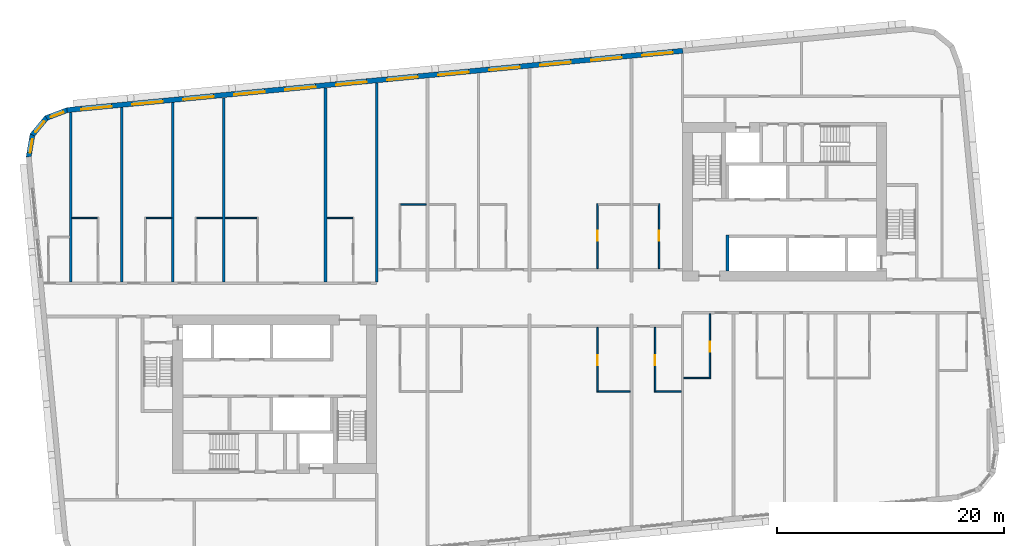
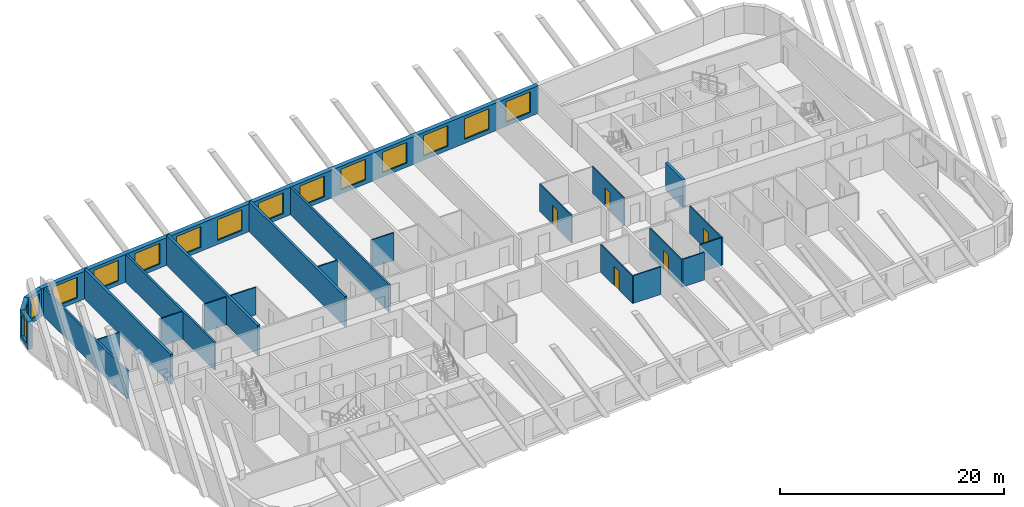
# One storey, part 5 of 13: 25 walls, 15 windows, 5 doors, 20 openings.
"""IFC4 building model written with IfcOpenShell, lengths in metres."""

from ifc_helpers import new_model, si_unit, direction, frame, frame_2d, origin, place, context, subcontext, project, spatial, polyline, rectangle, outline, extrude, material, layer, layer_set, type_object, element, fill, save


model = new_model("IFC4")

# Units and contexts
model_context = context("Model", 3, precision=1e-05, world=origin(), true_north=direction((0.0, 1.0)))
body_context = subcontext(model_context, "Body", "Model", "MODEL_VIEW")
ifc_project = project(units=[si_unit("LENGTHUNIT", "METRE"), si_unit("AREAUNIT", "SQUARE_METRE"), si_unit("VOLUMEUNIT", "CUBIC_METRE"), si_unit("PLANEANGLEUNIT", "RADIAN"), si_unit("MASSUNIT", "GRAM", prefix="KILO")], contexts=[model_context])

# Site, building, storey
site_placement = place(None, origin())
site = spatial("IfcSite", under=ifc_project, at=site_placement, CompositionType="ELEMENT")
building_placement = place(site_placement, origin())
building = spatial("IfcBuilding", under=site, at=building_placement, Name="Kajstack Hotel Tower", CompositionType="ELEMENT")
storey_placement = place(building_placement, frame((0.0, 0.0, 166.89990234375)))
storey = spatial("IfcBuildingStorey", under=building, at=storey_placement, Name="L38", CompositionType="ELEMENT", Elevation=166.89990234375)

# Walls
ifc_material_1 = material(Name="Twin-frame gypsum board on steel studs, mineral wool", Category="steel")
ifc_layer_1 = layer(ifc_material_1, 0.199951171875)
ifc_layer_set_1 = layer_set([ifc_layer_1], Name="Demising wall 200")
wall_type_1 = type_object("IfcWallType", Name="Demising wall 200", PredefinedType="PARTITIONING", material=ifc_layer_set_1)
wall_1_placement = place(storey_placement, frame((-40.5, 1.39990234375, 0.0), z_axis=(0.0, 0.0, 1.0), x_axis=(0.0, 1.0, 0.0)))
element("IfcWall", 1, at=wall_1_placement, inside=storey, type_object=wall_type_1, Name="G-wall-L38-005", PredefinedType="PARTITIONING", context=body_context, shape_type="SweptSolid", body=[
    extrude(rectangle(XDim=14.989990234375, YDim=0.199951171875, at=frame_2d((7.4951171875, 0.0))), origin(), (0.0, 0.0, 1.0), 3.02001953125),
])
wall_2_placement = place(storey_placement, frame((-31.5, 1.39990234375, 0.0), z_axis=(0.0, 0.0, 1.0), x_axis=(0.0, 1.0, 0.0)))
element("IfcWall", 2, at=wall_2_placement, inside=storey, type_object=wall_type_1, Name="G-wall-L38-010", PredefinedType="PARTITIONING", context=body_context, shape_type="SweptSolid", body=[
    extrude(rectangle(XDim=15.856201171875, YDim=0.199951171875, at=frame_2d((7.92822265625, 0.0))), origin(), (0.0, 0.0, 1.0), 3.02001953125),
])
wall_3_placement = place(storey_placement, frame((-13.5, 1.39990234375, 0.0), z_axis=(0.0, 0.0, 1.0), x_axis=(0.0, 1.0, 0.0)))
element("IfcWall", 3, at=wall_3_placement, inside=storey, type_object=wall_type_1, Name="G-wall-L38-017", PredefinedType="PARTITIONING", context=body_context, shape_type="SweptSolid", body=[
    extrude(rectangle(XDim=17.590087890625, YDim=0.199951171875, at=frame_2d((8.794921875, 0.0))), origin(), (0.0, 0.0, 1.0), 3.02001953125),
])

# Wall, openings, windows
ifc_material_2 = material(Name="Terracotta-faced brick masonry", Category="masonry")
ifc_layer_2 = layer(ifc_material_2, 0.449951171875)
ifc_layer_set_2 = layer_set([ifc_layer_2], Name="EW-TERRA")
wall_type_2 = type_object("IfcWallType", Name="EW-TERRA", PredefinedType="SOLIDWALL", material=ifc_layer_set_2)
wall_4_placement = place(storey_placement, frame((13.521484375, 21.8173828125, 0.0), z_axis=(0.0, 0.0, 1.0), x_axis=(-0.995396508751, -0.095842529008, 0.0)))
wall_4 = element("IfcWall", 4, at=wall_4_placement, inside=storey, type_object=wall_type_2, Name="E-wall-L38-12-02", PredefinedType="SOLIDWALL", context=body_context, shape_type="SweptSolid", body=[
    extrude(rectangle(XDim=54.59130859375, YDim=0.449951171875, at=frame_2d((27.295654296875, 0.0))), origin(), (0.0, 0.0, 1.0), 3.02001953125),
])
opening_1_placement = place(wall_4_placement, frame((0.910400390625, 0.0, 0.449951171875)))
opening_1 = element("IfcOpeningElement", 5, at=opening_1_placement, cuts=wall_4, Name="Opening W1", PredefinedType="OPENING", context=body_context, shape_type="SweptSolid", body=[
    extrude(rectangle(XDim=2.699951171875, YDim=2.25, at=frame_2d((1.35009765625, 1.125))), frame((0.0, 0.23486328125, 0.0), z_axis=(0.0, -1.0, 0.0), x_axis=(1.0, 0.0, 0.0)), (0.0, 0.0, 1.0), 0.469970703125),
])
opening_2_placement = place(wall_4_placement, frame((5.43115234375, 0.0, 0.449951171875)))
opening_2 = element("IfcOpeningElement", 6, at=opening_2_placement, cuts=wall_4, Name="Opening W1", PredefinedType="OPENING", context=body_context, shape_type="SweptSolid", body=[
    extrude(rectangle(XDim=2.699951171875, YDim=2.25, at=frame_2d((1.35009765625, 1.125))), frame((0.0, 0.23486328125, 0.0), z_axis=(0.0, -1.0, 0.0), x_axis=(1.0, 0.0, 0.0)), (0.0, 0.0, 1.0), 0.469970703125),
])
opening_3_placement = place(wall_4_placement, frame((9.951904296875, 0.0, 0.449951171875)))
opening_3 = element("IfcOpeningElement", 7, at=opening_3_placement, cuts=wall_4, Name="Opening W1", PredefinedType="OPENING", context=body_context, shape_type="SweptSolid", body=[
    extrude(rectangle(XDim=2.699951171875, YDim=2.25, at=frame_2d((1.35009765625, 1.125))), frame((0.0, 0.23486328125, 0.0), z_axis=(0.0, -1.0, 0.0), x_axis=(1.0, 0.0, 0.0)), (0.0, 0.0, 1.0), 0.469970703125),
])
opening_4_placement = place(wall_4_placement, frame((14.472900390625, 0.0, 0.449951171875)))
opening_4 = element("IfcOpeningElement", 8, at=opening_4_placement, cuts=wall_4, Name="Opening W1", PredefinedType="OPENING", context=body_context, shape_type="SweptSolid", body=[
    extrude(rectangle(XDim=2.699951171875, YDim=2.25, at=frame_2d((1.35009765625, 1.125))), frame((0.0, 0.23486328125, 0.0), z_axis=(0.0, -1.0, 0.0), x_axis=(1.0, 0.0, 0.0)), (0.0, 0.0, 1.0), 0.469970703125),
])
opening_5_placement = place(wall_4_placement, frame((18.99365234375, 0.0, 0.449951171875)))
opening_5 = element("IfcOpeningElement", 9, at=opening_5_placement, cuts=wall_4, Name="Opening W1", PredefinedType="OPENING", context=body_context, shape_type="SweptSolid", body=[
    extrude(rectangle(XDim=2.699951171875, YDim=2.25, at=frame_2d((1.35009765625, 1.125))), frame((0.0, 0.23486328125, 0.0), z_axis=(0.0, -1.0, 0.0), x_axis=(1.0, 0.0, 0.0)), (0.0, 0.0, 1.0), 0.469970703125),
])
opening_6_placement = place(wall_4_placement, frame((23.514404296875, 0.0, 0.449951171875)))
opening_6 = element("IfcOpeningElement", 10, at=opening_6_placement, cuts=wall_4, Name="Opening W1", PredefinedType="OPENING", context=body_context, shape_type="SweptSolid", body=[
    extrude(rectangle(XDim=2.699951171875, YDim=2.25, at=frame_2d((1.35009765625, 1.125))), frame((0.0, 0.23486328125, 0.0), z_axis=(0.0, -1.0, 0.0), x_axis=(1.0, 0.0, 0.0)), (0.0, 0.0, 1.0), 0.469970703125),
])
opening_7_placement = place(wall_4_placement, frame((28.03515625, 0.0, 0.449951171875)))
opening_7 = element("IfcOpeningElement", 11, at=opening_7_placement, cuts=wall_4, Name="Opening W1", PredefinedType="OPENING", context=body_context, shape_type="SweptSolid", body=[
    extrude(rectangle(XDim=2.699951171875, YDim=2.25, at=frame_2d((1.35009765625, 1.125))), frame((0.0, 0.23486328125, 0.0), z_axis=(0.0, -1.0, 0.0), x_axis=(1.0, 0.0, 0.0)), (0.0, 0.0, 1.0), 0.469970703125),
])
opening_8_placement = place(wall_4_placement, frame((32.555908203125, 0.0, 0.449951171875)))
opening_8 = element("IfcOpeningElement", 12, at=opening_8_placement, cuts=wall_4, Name="Opening W1", PredefinedType="OPENING", context=body_context, shape_type="SweptSolid", body=[
    extrude(rectangle(XDim=2.699951171875, YDim=2.25, at=frame_2d((1.35009765625, 1.125))), frame((0.0, 0.23486328125, 0.0), z_axis=(0.0, -1.0, 0.0), x_axis=(1.0, 0.0, 0.0)), (0.0, 0.0, 1.0), 0.469970703125),
])
opening_9_placement = place(wall_4_placement, frame((37.076904296875, 0.0, 0.449951171875)))
opening_9 = element("IfcOpeningElement", 13, at=opening_9_placement, cuts=wall_4, Name="Opening W1", PredefinedType="OPENING", context=body_context, shape_type="SweptSolid", body=[
    extrude(rectangle(XDim=2.699951171875, YDim=2.25, at=frame_2d((1.35009765625, 1.125))), frame((0.0, 0.23486328125, 0.0), z_axis=(0.0, -1.0, 0.0), x_axis=(1.0, 0.0, 0.0)), (0.0, 0.0, 1.0), 0.469970703125),
])
opening_10_placement = place(wall_4_placement, frame((41.59765625, 0.0, 0.449951171875)))
opening_10 = element("IfcOpeningElement", 14, at=opening_10_placement, cuts=wall_4, Name="Opening W1", PredefinedType="OPENING", context=body_context, shape_type="SweptSolid", body=[
    extrude(rectangle(XDim=2.699951171875, YDim=2.25, at=frame_2d((1.35009765625, 1.125))), frame((0.0, 0.23486328125, 0.0), z_axis=(0.0, -1.0, 0.0), x_axis=(1.0, 0.0, 0.0)), (0.0, 0.0, 1.0), 0.469970703125),
])
opening_11_placement = place(wall_4_placement, frame((46.118408203125, 0.0, 0.449951171875)))
opening_11 = element("IfcOpeningElement", 15, at=opening_11_placement, cuts=wall_4, Name="Opening W1", PredefinedType="OPENING", context=body_context, shape_type="SweptSolid", body=[
    extrude(rectangle(XDim=2.699951171875, YDim=2.25, at=frame_2d((1.35009765625, 1.125))), frame((0.0, 0.23486328125, 0.0), z_axis=(0.0, -1.0, 0.0), x_axis=(1.0, 0.0, 0.0)), (0.0, 0.0, 1.0), 0.469970703125),
])
opening_12_placement = place(wall_4_placement, frame((50.62890625, 0.0, 0.449951171875)))
opening_12 = element("IfcOpeningElement", 16, at=opening_12_placement, cuts=wall_4, Name="Opening W1", PredefinedType="OPENING", context=body_context, shape_type="SweptSolid", body=[
    extrude(rectangle(XDim=2.699951171875, YDim=2.25, at=frame_2d((1.35009765625, 1.125))), frame((0.0, 0.23486328125, 0.0), z_axis=(0.0, -1.0, 0.0), x_axis=(1.0, 0.0, 0.0)), (0.0, 0.0, 1.0), 0.469970703125),
])
ifc_material_3 = material(Name="Timber-aluminium window, triple glazed", Category="wood")
window_type_1 = type_object("IfcWindowType", Name="WG1", PartitioningType="SINGLE_PANEL", PredefinedType="WINDOW", material=ifc_material_3)
window_1_placement = place(opening_1_placement, origin())
window_1 = element("IfcWindow", 17, at=window_1_placement, inside=storey, type_object=window_type_1, Name="Window W1 L38-12", OverallHeight=2.25, OverallWidth=2.699951171875, PartitioningType="SINGLE_PANEL", PredefinedType="WINDOW", context=body_context, shape_type="SweptSolid", body=[
    extrude(rectangle(XDim=2.699951171875, YDim=2.25, at=frame_2d((1.35009765625, 1.125))), frame((0.0, 0.090087890625, 0.0), z_axis=(0.0, -1.0, 0.0), x_axis=(1.0, 0.0, 0.0)), (0.0, 0.0, 1.0), 0.06005859375),
])
fill(opening_1, window_1)
window_2_placement = place(opening_2_placement, origin())
window_2 = element("IfcWindow", 18, at=window_2_placement, inside=storey, type_object=window_type_1, Name="Window W1 L38-12", OverallHeight=2.25, OverallWidth=2.699951171875, PartitioningType="SINGLE_PANEL", PredefinedType="WINDOW", context=body_context, shape_type="SweptSolid", body=[
    extrude(rectangle(XDim=2.699951171875, YDim=2.25, at=frame_2d((1.35009765625, 1.125))), frame((0.0, 0.090087890625, 0.0), z_axis=(0.0, -1.0, 0.0), x_axis=(1.0, 0.0, 0.0)), (0.0, 0.0, 1.0), 0.06005859375),
])
fill(opening_2, window_2)
window_3_placement = place(opening_3_placement, origin())
window_3 = element("IfcWindow", 19, at=window_3_placement, inside=storey, type_object=window_type_1, Name="Window W1 L38-12", OverallHeight=2.25, OverallWidth=2.699951171875, PartitioningType="SINGLE_PANEL", PredefinedType="WINDOW", context=body_context, shape_type="SweptSolid", body=[
    extrude(rectangle(XDim=2.699951171875, YDim=2.25, at=frame_2d((1.35009765625, 1.125))), frame((0.0, 0.090087890625, 0.0), z_axis=(0.0, -1.0, 0.0), x_axis=(1.0, 0.0, 0.0)), (0.0, 0.0, 1.0), 0.06005859375),
])
fill(opening_3, window_3)
window_4_placement = place(opening_4_placement, origin())
window_4 = element("IfcWindow", 20, at=window_4_placement, inside=storey, type_object=window_type_1, Name="Window W1 L38-12", OverallHeight=2.25, OverallWidth=2.699951171875, PartitioningType="SINGLE_PANEL", PredefinedType="WINDOW", context=body_context, shape_type="SweptSolid", body=[
    extrude(rectangle(XDim=2.699951171875, YDim=2.25, at=frame_2d((1.35009765625, 1.125))), frame((0.0, 0.090087890625, 0.0), z_axis=(0.0, -1.0, 0.0), x_axis=(1.0, 0.0, 0.0)), (0.0, 0.0, 1.0), 0.06005859375),
])
fill(opening_4, window_4)
window_5_placement = place(opening_5_placement, origin())
window_5 = element("IfcWindow", 21, at=window_5_placement, inside=storey, type_object=window_type_1, Name="Window W1 L38-12", OverallHeight=2.25, OverallWidth=2.699951171875, PartitioningType="SINGLE_PANEL", PredefinedType="WINDOW", context=body_context, shape_type="SweptSolid", body=[
    extrude(rectangle(XDim=2.699951171875, YDim=2.25, at=frame_2d((1.35009765625, 1.125))), frame((0.0, 0.090087890625, 0.0), z_axis=(0.0, -1.0, 0.0), x_axis=(1.0, 0.0, 0.0)), (0.0, 0.0, 1.0), 0.06005859375),
])
fill(opening_5, window_5)
window_6_placement = place(opening_6_placement, origin())
window_6 = element("IfcWindow", 22, at=window_6_placement, inside=storey, type_object=window_type_1, Name="Window W1 L38-12", OverallHeight=2.25, OverallWidth=2.699951171875, PartitioningType="SINGLE_PANEL", PredefinedType="WINDOW", context=body_context, shape_type="SweptSolid", body=[
    extrude(rectangle(XDim=2.699951171875, YDim=2.25, at=frame_2d((1.35009765625, 1.125))), frame((0.0, 0.090087890625, 0.0), z_axis=(0.0, -1.0, 0.0), x_axis=(1.0, 0.0, 0.0)), (0.0, 0.0, 1.0), 0.06005859375),
])
fill(opening_6, window_6)
window_7_placement = place(opening_7_placement, origin())
window_7 = element("IfcWindow", 23, at=window_7_placement, inside=storey, type_object=window_type_1, Name="Window W1 L38-12", OverallHeight=2.25, OverallWidth=2.699951171875, PartitioningType="SINGLE_PANEL", PredefinedType="WINDOW", context=body_context, shape_type="SweptSolid", body=[
    extrude(rectangle(XDim=2.699951171875, YDim=2.25, at=frame_2d((1.35009765625, 1.125))), frame((0.0, 0.090087890625, 0.0), z_axis=(0.0, -1.0, 0.0), x_axis=(1.0, 0.0, 0.0)), (0.0, 0.0, 1.0), 0.06005859375),
])
fill(opening_7, window_7)
window_8_placement = place(opening_8_placement, origin())
window_8 = element("IfcWindow", 24, at=window_8_placement, inside=storey, type_object=window_type_1, Name="Window W1 L38-12", OverallHeight=2.25, OverallWidth=2.699951171875, PartitioningType="SINGLE_PANEL", PredefinedType="WINDOW", context=body_context, shape_type="SweptSolid", body=[
    extrude(rectangle(XDim=2.699951171875, YDim=2.25, at=frame_2d((1.35009765625, 1.125))), frame((0.0, 0.090087890625, 0.0), z_axis=(0.0, -1.0, 0.0), x_axis=(1.0, 0.0, 0.0)), (0.0, 0.0, 1.0), 0.06005859375),
])
fill(opening_8, window_8)
window_9_placement = place(opening_9_placement, origin())
window_9 = element("IfcWindow", 25, at=window_9_placement, inside=storey, type_object=window_type_1, Name="Window W1 L38-12", OverallHeight=2.25, OverallWidth=2.699951171875, PartitioningType="SINGLE_PANEL", PredefinedType="WINDOW", context=body_context, shape_type="SweptSolid", body=[
    extrude(rectangle(XDim=2.699951171875, YDim=2.25, at=frame_2d((1.35009765625, 1.125))), frame((0.0, 0.090087890625, 0.0), z_axis=(0.0, -1.0, 0.0), x_axis=(1.0, 0.0, 0.0)), (0.0, 0.0, 1.0), 0.06005859375),
])
fill(opening_9, window_9)
window_10_placement = place(opening_10_placement, origin())
window_10 = element("IfcWindow", 26, at=window_10_placement, inside=storey, type_object=window_type_1, Name="Window W1 L38-12", OverallHeight=2.25, OverallWidth=2.699951171875, PartitioningType="SINGLE_PANEL", PredefinedType="WINDOW", context=body_context, shape_type="SweptSolid", body=[
    extrude(rectangle(XDim=2.699951171875, YDim=2.25, at=frame_2d((1.35009765625, 1.125))), frame((0.0, 0.090087890625, 0.0), z_axis=(0.0, -1.0, 0.0), x_axis=(1.0, 0.0, 0.0)), (0.0, 0.0, 1.0), 0.06005859375),
])
fill(opening_10, window_10)
window_11_placement = place(opening_11_placement, origin())
window_11 = element("IfcWindow", 27, at=window_11_placement, inside=storey, type_object=window_type_1, Name="Window W1 L38-12", OverallHeight=2.25, OverallWidth=2.699951171875, PartitioningType="SINGLE_PANEL", PredefinedType="WINDOW", context=body_context, shape_type="SweptSolid", body=[
    extrude(rectangle(XDim=2.699951171875, YDim=2.25, at=frame_2d((1.35009765625, 1.125))), frame((0.0, 0.090087890625, 0.0), z_axis=(0.0, -1.0, 0.0), x_axis=(1.0, 0.0, 0.0)), (0.0, 0.0, 1.0), 0.06005859375),
])
fill(opening_11, window_11)
window_12_placement = place(opening_12_placement, origin())
window_12 = element("IfcWindow", 28, at=window_12_placement, inside=storey, type_object=window_type_1, Name="Window W1 L38-12", OverallHeight=2.25, OverallWidth=2.699951171875, PartitioningType="SINGLE_PANEL", PredefinedType="WINDOW", context=body_context, shape_type="SweptSolid", body=[
    extrude(rectangle(XDim=2.699951171875, YDim=2.25, at=frame_2d((1.35009765625, 1.125))), frame((0.0, 0.090087890625, 0.0), z_axis=(0.0, -1.0, 0.0), x_axis=(1.0, 0.0, 0.0)), (0.0, 0.0, 1.0), 0.06005859375),
])
fill(opening_12, window_12)

# Wall, opening, window
wall_5_placement = place(storey_placement, frame((-40.76123046875, 16.598388671875, 0.0), z_axis=(0.0, 0.0, 1.0), x_axis=(-0.936677599948, -0.350192909346, 0.0)))
wall_5 = element("IfcWall", 29, at=wall_5_placement, inside=storey, type_object=wall_type_2, Name="E-wall-L38-13-00", PredefinedType="SOLIDWALL", context=body_context, shape_type="SweptSolid", body=[
    extrude(outline(polyline([(0.0, -0.22509765625), (2.070556640625, -0.224853515625), (1.949951171875, 0.22509765625), (0.12060546875, 0.22509765625), (0.0, -0.22509765625)])), origin(), (0.0, 0.0, 1.0), 3.02001953125),
])
opening_13_placement = place(wall_5_placement, frame((0.435302734375, 0.0, 0.449951171875)))
opening_13 = element("IfcOpeningElement", 30, at=opening_13_placement, cuts=wall_5, Name="Opening W3", PredefinedType="OPENING", context=body_context, shape_type="SweptSolid", body=[
    extrude(rectangle(XDim=1.199951171875, YDim=2.25, at=frame_2d((0.60009765625, 1.125))), frame((0.0, 0.23486328125, 0.0), z_axis=(0.0, -1.0, 0.0), x_axis=(1.0, 0.0, 0.0)), (0.0, 0.0, 1.0), 0.469970703125),
])
window_type_2 = type_object("IfcWindowType", Name="WG3", PartitioningType="SINGLE_PANEL", PredefinedType="WINDOW", material=ifc_material_3)
window_13_placement = place(opening_13_placement, origin())
window_13 = element("IfcWindow", 31, at=window_13_placement, inside=storey, type_object=window_type_2, Name="Window W3 L38-13", OverallHeight=2.25, OverallWidth=1.199951171875, PartitioningType="SINGLE_PANEL", PredefinedType="WINDOW", context=body_context, shape_type="SweptSolid", body=[
    extrude(rectangle(XDim=1.199951171875, YDim=2.25, at=frame_2d((0.60009765625, 1.125))), frame((0.0, 0.090087890625, 0.0), z_axis=(0.0, -1.0, 0.0), x_axis=(1.0, 0.0, 0.0)), (0.0, 0.0, 1.0), 0.06005859375),
])
fill(opening_13, window_13)

wall_6_placement = place(storey_placement, frame((-42.60595703125, 15.94091796875, 0.0), z_axis=(0.0, 0.0, 1.0), x_axis=(-0.636116318187, -0.771593176315, 0.0)))
wall_6 = element("IfcWall", 32, at=wall_6_placement, inside=storey, type_object=wall_type_2, Name="E-wall-L38-14-00", PredefinedType="SOLIDWALL", context=body_context, shape_type="SweptSolid", body=[
    extrude(outline(polyline([(0.0, -0.224853515625), (2.070556640625, -0.224853515625), (1.949951171875, 0.22509765625), (0.12060546875, 0.22509765625), (0.0, -0.224853515625)])), origin(), (0.0, 0.0, 1.0), 3.02001953125),
])
opening_14_placement = place(wall_6_placement, frame((0.435302734375, 0.0, 0.449951171875)))
opening_14 = element("IfcOpeningElement", 33, at=opening_14_placement, cuts=wall_6, Name="Opening W3", PredefinedType="OPENING", context=body_context, shape_type="SweptSolid", body=[
    extrude(rectangle(XDim=1.199951171875, YDim=2.25, at=frame_2d((0.60009765625, 1.125))), frame((0.0, 0.23486328125, 0.0), z_axis=(0.0, -1.0, 0.0), x_axis=(1.0, 0.0, 0.0)), (0.0, 0.0, 1.0), 0.469970703125),
])
window_14_placement = place(opening_14_placement, origin())
window_14 = element("IfcWindow", 34, at=window_14_placement, inside=storey, type_object=window_type_2, Name="Window W3 L38-14", OverallHeight=2.25, OverallWidth=1.199951171875, PartitioningType="SINGLE_PANEL", PredefinedType="WINDOW", context=body_context, shape_type="SweptSolid", body=[
    extrude(rectangle(XDim=1.199951171875, YDim=2.25, at=frame_2d((0.60009765625, 1.125))), frame((0.0, 0.090087890625, 0.0), z_axis=(0.0, -1.0, 0.0), x_axis=(1.0, 0.0, 0.0)), (0.0, 0.0, 1.0), 0.06005859375),
])
fill(opening_14, window_14)

wall_7_placement = place(storey_placement, frame((-43.874755859375, 14.44921875, 0.0), z_axis=(0.0, 0.0, 1.0), x_axis=(-0.164953448126, -0.986301353518, 0.0)))
wall_7 = element("IfcWall", 35, at=wall_7_placement, inside=storey, type_object=wall_type_2, Name="E-wall-L38-15-00", PredefinedType="SOLIDWALL", context=body_context, shape_type="SweptSolid", body=[
    extrude(outline(polyline([(0.0, -0.224853515625), (2.070556640625, -0.22509765625), (1.9501953125, 0.224853515625), (0.12060546875, 0.22509765625), (0.0, -0.224853515625)])), origin(), (0.0, 0.0, 1.0), 3.02001953125),
])
opening_15_placement = place(wall_7_placement, frame((0.435302734375, 0.0, 0.449951171875)))
opening_15 = element("IfcOpeningElement", 36, at=opening_15_placement, cuts=wall_7, Name="Opening W3", PredefinedType="OPENING", context=body_context, shape_type="SweptSolid", body=[
    extrude(rectangle(XDim=1.199951171875, YDim=2.25, at=frame_2d((0.60009765625, 1.125))), frame((0.0, 0.23486328125, 0.0), z_axis=(0.0, -1.0, 0.0), x_axis=(1.0, 0.0, 0.0)), (0.0, 0.0, 1.0), 0.469970703125),
])
window_15_placement = place(opening_15_placement, origin())
window_15 = element("IfcWindow", 37, at=window_15_placement, inside=storey, type_object=window_type_2, Name="Window W3 L38-15", OverallHeight=2.25, OverallWidth=1.199951171875, PartitioningType="SINGLE_PANEL", PredefinedType="WINDOW", context=body_context, shape_type="SweptSolid", body=[
    extrude(rectangle(XDim=1.199951171875, YDim=2.25, at=frame_2d((0.60009765625, 1.125))), frame((0.0, 0.090087890625, 0.0), z_axis=(0.0, -1.0, 0.0), x_axis=(1.0, 0.0, 0.0)), (0.0, 0.0, 1.0), 0.06005859375),
])
fill(opening_15, window_15)

# Walls
ifc_material_4 = material(Name="Gypsum board and tiled backer on steel studs", Category="steel")
ifc_layer_3 = layer(ifc_material_4, 0.125)
ifc_layer_set_3 = layer_set([ifc_layer_3], Name="En-suite wall 125")
wall_type_3 = type_object("IfcWallType", Name="En-suite wall 125", PredefinedType="PARTITIONING", material=ifc_layer_set_3)
for number, where, z_axis, x_axis, name in (
    (38, (-40.39990234375, 7.06201171875, 0.0), (0.0, 0.0, 1.0), (1.0, 0.0, 0.0), "G-wall-L38-009"),
    (39, (-33.85009765625, 7.06201171875, 0.0), (0.0, 0.0, 1.0), (1.0, 0.0, 0.0), "G-wall-L38-012"),
    (40, (-29.375, 7.06201171875, 0.0), (0.0, 0.0, 1.0), (1.0, 0.0, 0.0), "G-wall-L38-014"),
):
    element("IfcWall", number, at=place(storey_placement, frame(where, z_axis=z_axis, x_axis=x_axis)), inside=storey, type_object=wall_type_3, Name=name, PredefinedType="PARTITIONING", context=body_context, shape_type="SweptSolid", body=[
        extrude(rectangle(XDim=2.25, YDim=0.125, at=frame_2d((1.125, 0.0))), origin(), (0.0, 0.0, 1.0), 3.02001953125),
    ])
wall_8_placement = place(storey_placement, frame((-26.875, 7.06201171875, 0.0), z_axis=(0.0, 0.0, 1.0), x_axis=(1.0, 0.0, 0.0)))
element("IfcWall", 41, at=wall_8_placement, inside=storey, type_object=wall_type_3, Name="G-wall-L38-016", PredefinedType="PARTITIONING", context=body_context, shape_type="SweptSolid", body=[
    extrude(rectangle(XDim=2.800048828125, YDim=0.125, at=frame_2d((1.39990234375, 0.0))), origin(), (0.0, 0.0, 1.0), 3.02001953125),
])
for number, where, z_axis, x_axis, name in (
    (42, (-17.875, 7.06201171875, 0.0), (0.0, 0.0, 1.0), (1.0, 0.0, 0.0), "G-wall-L38-019"),
    (43, (-11.375, 8.261962890625, 0.0), (0.0, 0.0, 1.0), (1.0, 0.0, 0.0), "G-wall-L38-021"),
):
    element("IfcWall", number, at=place(storey_placement, frame(where, z_axis=z_axis, x_axis=x_axis)), inside=storey, type_object=wall_type_3, Name=name, PredefinedType="PARTITIONING", context=body_context, shape_type="SweptSolid", body=[
        extrude(rectangle(XDim=2.25, YDim=0.125, at=frame_2d((1.125, 0.0))), origin(), (0.0, 0.0, 1.0), 3.02001953125),
    ])

# Wall, opening, door
wall_9_placement = place(storey_placement, frame((6.012939453125, 2.60009765625, 0.0), z_axis=(0.0, 0.0, 1.0), x_axis=(0.0, 1.0, 0.0)))
wall_9 = element("IfcWall", 44, at=wall_9_placement, inside=storey, type_object=wall_type_3, Name="G-wall-L38-027", PredefinedType="PARTITIONING", context=body_context, shape_type="SweptSolid", body=[
    extrude(rectangle(XDim=5.724853515625, YDim=0.125, at=frame_2d((2.8623046875, 0.0))), origin(), (0.0, 0.0, 1.0), 3.02001953125),
])
opening_16_placement = place(wall_9_placement, frame((2.449951171875, 0.0, 0.0)))
opening_16 = element("IfcOpeningElement", 45, at=opening_16_placement, cuts=wall_9, Name="Opening 38020", PredefinedType="OPENING", context=body_context, shape_type="SweptSolid", body=[
    extrude(rectangle(XDim=0.89990234375, YDim=2.10009765625, at=frame_2d((0.449951171875, 1.050048828125))), frame((0.0, 0.072509765625, 0.0), z_axis=(0.0, -1.0, 0.0), x_axis=(1.0, 0.0, 0.0)), (0.0, 0.0, 1.0), 0.14501953125),
])
ifc_material_5 = material(Name="Painted timber door leaf", Category="wood")
door_type = type_object("IfcDoorType", Name="Room door 900", OperationType="SINGLE_SWING_LEFT", PredefinedType="DOOR", material=ifc_material_5)
door_1_placement = place(opening_16_placement, origin())
door_1 = element("IfcDoor", 46, at=door_1_placement, inside=storey, type_object=door_type, Name="G-door-L38-20", OperationType="SINGLE_SWING_LEFT", OverallHeight=2.10009765625, OverallWidth=0.89990234375, PredefinedType="DOOR", context=body_context, shape_type="SweptSolid", body=[
    extrude(rectangle(XDim=0.89990234375, YDim=2.10009765625, at=frame_2d((0.449951171875, 1.050048828125))), frame((0.0, 0.02490234375, 0.0), z_axis=(0.0, -1.0, 0.0), x_axis=(1.0, 0.0, 0.0)), (0.0, 0.0, 1.0), 0.050048828125),
])
fill(opening_16, door_1)

wall_10_placement = place(storey_placement, frame((11.43798828125, 2.60009765625, 0.0), z_axis=(0.0, 0.0, 1.0), x_axis=(0.0, 1.0, 0.0)))
wall_10 = element("IfcWall", 47, at=wall_10_placement, inside=storey, type_object=wall_type_3, Name="G-wall-L38-029", PredefinedType="PARTITIONING", context=body_context, shape_type="SweptSolid", body=[
    extrude(rectangle(XDim=5.724853515625, YDim=0.125, at=frame_2d((2.8623046875, 0.0))), origin(), (0.0, 0.0, 1.0), 3.02001953125),
])
opening_17_placement = place(wall_10_placement, frame((2.449951171875, 0.0, 0.0)))
opening_17 = element("IfcOpeningElement", 48, at=opening_17_placement, cuts=wall_10, Name="Opening 38022", PredefinedType="OPENING", context=body_context, shape_type="SweptSolid", body=[
    extrude(rectangle(XDim=0.89990234375, YDim=2.10009765625, at=frame_2d((0.449951171875, 1.050048828125))), frame((0.0, 0.072509765625, 0.0), z_axis=(0.0, -1.0, 0.0), x_axis=(1.0, 0.0, 0.0)), (0.0, 0.0, 1.0), 0.14501953125),
])
door_2_placement = place(opening_17_placement, origin())
door_2 = element("IfcDoor", 49, at=door_2_placement, inside=storey, type_object=door_type, Name="G-door-L38-22", OperationType="SINGLE_SWING_LEFT", OverallHeight=2.10009765625, OverallWidth=0.89990234375, PredefinedType="DOOR", context=body_context, shape_type="SweptSolid", body=[
    extrude(rectangle(XDim=0.89990234375, YDim=2.10009765625, at=frame_2d((0.449951171875, 1.050048828125))), frame((0.0, 0.02490234375, 0.0), z_axis=(0.0, -1.0, 0.0), x_axis=(1.0, 0.0, 0.0)), (0.0, 0.0, 1.0), 0.050048828125),
])
fill(opening_17, door_2)

wall_11_placement = place(storey_placement, frame((6.012939453125, -8.324951171875, 0.0), z_axis=(0.0, 0.0, 1.0), x_axis=(0.0, 1.0, 0.0)))
wall_11 = element("IfcWall", 50, at=wall_11_placement, inside=storey, type_object=wall_type_3, Name="G-wall-L38-037", PredefinedType="PARTITIONING", context=body_context, shape_type="SweptSolid", body=[
    extrude(rectangle(XDim=5.724853515625, YDim=0.125, at=frame_2d((2.8623046875, 0.0))), origin(), (0.0, 0.0, 1.0), 3.02001953125),
])
opening_18_placement = place(wall_11_placement, frame((2.375, 0.0, 0.0)))
opening_18 = element("IfcOpeningElement", 51, at=opening_18_placement, cuts=wall_11, Name="Opening 38028", PredefinedType="OPENING", context=body_context, shape_type="SweptSolid", body=[
    extrude(rectangle(XDim=0.89990234375, YDim=2.10009765625, at=frame_2d((0.449951171875, 1.050048828125))), frame((0.0, 0.072509765625, 0.0), z_axis=(0.0, -1.0, 0.0), x_axis=(1.0, 0.0, 0.0)), (0.0, 0.0, 1.0), 0.14501953125),
])
door_3_placement = place(opening_18_placement, origin())
door_3 = element("IfcDoor", 52, at=door_3_placement, inside=storey, type_object=door_type, Name="G-door-L38-28", OperationType="SINGLE_SWING_RIGHT", OverallHeight=2.10009765625, OverallWidth=0.89990234375, PredefinedType="DOOR", context=body_context, shape_type="SweptSolid", body=[
    extrude(rectangle(XDim=0.89990234375, YDim=2.10009765625, at=frame_2d((0.449951171875, 1.050048828125))), frame((0.0, 0.02490234375, 0.0), z_axis=(0.0, -1.0, 0.0), x_axis=(1.0, 0.0, 0.0)), (0.0, 0.0, 1.0), 0.050048828125),
])
fill(opening_18, door_3)

# Wall
wall_12_placement = place(storey_placement, frame((6.074951171875, -8.261962890625, 0.0), z_axis=(0.0, 0.0, 1.0), x_axis=(1.0, 0.0, 0.0)))
element("IfcWall", 53, at=wall_12_placement, inside=storey, type_object=wall_type_3, Name="G-wall-L38-038", PredefinedType="PARTITIONING", context=body_context, shape_type="SweptSolid", body=[
    extrude(rectangle(XDim=2.800048828125, YDim=0.125, at=frame_2d((1.39990234375, 0.0))), origin(), (0.0, 0.0, 1.0), 3.02001953125),
])

# Wall, opening, door
wall_13_placement = place(storey_placement, frame((11.087890625, -8.324951171875, 0.0), z_axis=(0.0, 0.0, 1.0), x_axis=(0.0, 1.0, 0.0)))
wall_13 = element("IfcWall", 54, at=wall_13_placement, inside=storey, type_object=wall_type_3, Name="G-wall-L38-040", PredefinedType="PARTITIONING", context=body_context, shape_type="SweptSolid", body=[
    extrude(rectangle(XDim=5.724853515625, YDim=0.125, at=frame_2d((2.8623046875, 0.0))), origin(), (0.0, 0.0, 1.0), 3.02001953125),
])
opening_19_placement = place(wall_13_placement, frame((2.375, 0.0, 0.0)))
opening_19 = element("IfcOpeningElement", 55, at=opening_19_placement, cuts=wall_13, Name="Opening 38030", PredefinedType="OPENING", context=body_context, shape_type="SweptSolid", body=[
    extrude(rectangle(XDim=0.89990234375, YDim=2.10009765625, at=frame_2d((0.449951171875, 1.050048828125))), frame((0.0, 0.072509765625, 0.0), z_axis=(0.0, -1.0, 0.0), x_axis=(1.0, 0.0, 0.0)), (0.0, 0.0, 1.0), 0.14501953125),
])
door_4_placement = place(opening_19_placement, origin())
door_4 = element("IfcDoor", 56, at=door_4_placement, inside=storey, type_object=door_type, Name="G-door-L38-30", OperationType="SINGLE_SWING_RIGHT", OverallHeight=2.10009765625, OverallWidth=0.89990234375, PredefinedType="DOOR", context=body_context, shape_type="SweptSolid", body=[
    extrude(rectangle(XDim=0.89990234375, YDim=2.10009765625, at=frame_2d((0.449951171875, 1.050048828125))), frame((0.0, 0.02490234375, 0.0), z_axis=(0.0, -1.0, 0.0), x_axis=(1.0, 0.0, 0.0)), (0.0, 0.0, 1.0), 0.050048828125),
])
fill(opening_19, door_4)

# Wall
wall_14_placement = place(storey_placement, frame((11.14990234375, -8.261962890625, 0.0), z_axis=(0.0, 0.0, 1.0), x_axis=(1.0, 0.0, 0.0)))
element("IfcWall", 57, at=wall_14_placement, inside=storey, type_object=wall_type_3, Name="G-wall-L38-041", PredefinedType="PARTITIONING", context=body_context, shape_type="SweptSolid", body=[
    extrude(rectangle(XDim=2.25, YDim=0.125, at=frame_2d((1.125, 0.0))), origin(), (0.0, 0.0, 1.0), 3.02001953125),
])

# Wall, opening, door
wall_15_placement = place(storey_placement, frame((15.912109375, -7.125, 0.0), z_axis=(0.0, 0.0, 1.0), x_axis=(0.0, 1.0, 0.0)))
wall_15 = element("IfcWall", 58, at=wall_15_placement, inside=storey, type_object=wall_type_3, Name="G-wall-L38-042", PredefinedType="PARTITIONING", context=body_context, shape_type="SweptSolid", body=[
    extrude(rectangle(XDim=5.72509765625, YDim=0.125, at=frame_2d((2.862548828125, 0.0))), origin(), (0.0, 0.0, 1.0), 3.02001953125),
])
opening_20_placement = place(wall_15_placement, frame((2.375, 0.0, 0.0)))
opening_20 = element("IfcOpeningElement", 59, at=opening_20_placement, cuts=wall_15, Name="Opening 38032", PredefinedType="OPENING", context=body_context, shape_type="SweptSolid", body=[
    extrude(rectangle(XDim=0.89990234375, YDim=2.10009765625, at=frame_2d((0.449951171875, 1.050048828125))), frame((0.0, 0.072509765625, 0.0), z_axis=(0.0, -1.0, 0.0), x_axis=(1.0, 0.0, 0.0)), (0.0, 0.0, 1.0), 0.14501953125),
])
door_5_placement = place(opening_20_placement, origin())
door_5 = element("IfcDoor", 60, at=door_5_placement, inside=storey, type_object=door_type, Name="G-door-L38-32", OperationType="SINGLE_SWING_LEFT", OverallHeight=2.10009765625, OverallWidth=0.89990234375, PredefinedType="DOOR", context=body_context, shape_type="SweptSolid", body=[
    extrude(rectangle(XDim=0.89990234375, YDim=2.10009765625, at=frame_2d((0.449951171875, 1.050048828125))), frame((0.0, 0.02490234375, 0.0), z_axis=(0.0, -1.0, 0.0), x_axis=(1.0, 0.0, 0.0)), (0.0, 0.0, 1.0), 0.050048828125),
])
fill(opening_20, door_5)

# Walls
wall_16_placement = place(storey_placement, frame((13.60009765625, -7.06201171875, 0.0), z_axis=(0.0, 0.0, 1.0), x_axis=(1.0, 0.0, 0.0)))
element("IfcWall", 61, at=wall_16_placement, inside=storey, type_object=wall_type_3, Name="G-wall-L38-043", PredefinedType="PARTITIONING", context=body_context, shape_type="SweptSolid", body=[
    extrude(rectangle(XDim=2.25, YDim=0.125, at=frame_2d((1.125, 0.0))), origin(), (0.0, 0.0, 1.0), 3.02001953125),
])
ifc_material_6 = material(Name="Concrete C50/60", Category="concrete")
ifc_layer_4 = layer(ifc_material_6, 0.25)
ifc_layer_set_4 = layer_set([ifc_layer_4], Name="RC cross wall 250 C50/60")
wall_type_4 = type_object("IfcWallType", Name="RC cross wall 250 C50/60", PredefinedType="SHEAR", material=ifc_layer_set_4)
wall_17_placement = place(storey_placement, frame((-36.0, 1.39990234375, 0.0), z_axis=(0.0, 0.0, 1.0), x_axis=(0.0, 1.0, 0.0)))
element("IfcWall", 62, at=wall_17_placement, inside=storey, type_object=wall_type_4, Name="S-wall-L38-01", PredefinedType="SHEAR", context=body_context, shape_type="SweptSolid", body=[
    extrude(rectangle(XDim=15.401123046875, YDim=0.25, at=frame_2d((7.70068359375, 0.0))), origin(), (0.0, 0.0, 1.0), 3.300048828125),
])
wall_18_placement = place(storey_placement, frame((-27.0, 1.39990234375, 0.0), z_axis=(0.0, 0.0, 1.0), x_axis=(0.0, 1.0, 0.0)))
element("IfcWall", 63, at=wall_18_placement, inside=storey, type_object=wall_type_4, Name="S-wall-L38-02", PredefinedType="SHEAR", context=body_context, shape_type="SweptSolid", body=[
    extrude(rectangle(XDim=16.267578125, YDim=0.25, at=frame_2d((8.1337890625, 0.0))), origin(), (0.0, 0.0, 1.0), 3.300048828125),
])
wall_19_placement = place(storey_placement, frame((-18.0, 1.39990234375, 0.0), z_axis=(0.0, 0.0, 1.0), x_axis=(0.0, 1.0, 0.0)))
element("IfcWall", 64, at=wall_19_placement, inside=storey, type_object=wall_type_4, Name="S-wall-L38-03", PredefinedType="SHEAR", context=body_context, shape_type="SweptSolid", body=[
    extrude(rectangle(XDim=17.13427734375, YDim=0.25, at=frame_2d((8.567138671875, 0.0))), origin(), (0.0, 0.0, 1.0), 3.300048828125),
])
ifc_layer_5 = layer(ifc_material_6, 0.25)
ifc_layer_set_5 = layer_set([ifc_layer_5], Name="Shaft wall 250")
wall_type_5 = type_object("IfcWallType", Name="Shaft wall 250", PredefinedType="SHEAR", material=ifc_layer_set_5)
wall_20_placement = place(storey_placement, frame((17.47509765625, 2.39990234375, 0.0), z_axis=(0.0, 0.0, 1.0), x_axis=(0.0, 1.0, 0.0)))
element("IfcWall", 65, at=wall_20_placement, inside=storey, type_object=wall_type_5, Name="Core wall E AE", PredefinedType="SHEAR", context=body_context, shape_type="SweptSolid", body=[
    extrude(rectangle(XDim=3.150146484375, YDim=0.25, at=frame_2d((1.5751953125, 0.0))), origin(), (0.0, 0.0, 1.0), 3.02001953125),
])

save(model, "model.ifc")
